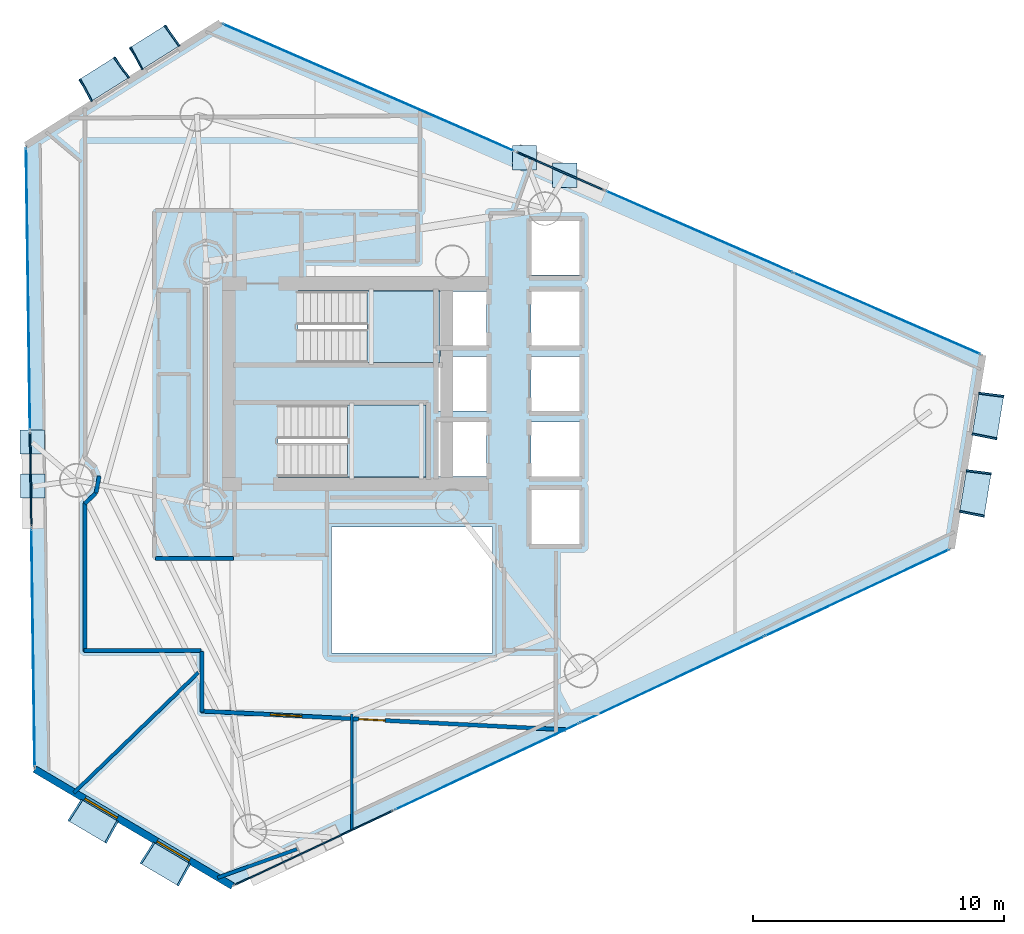
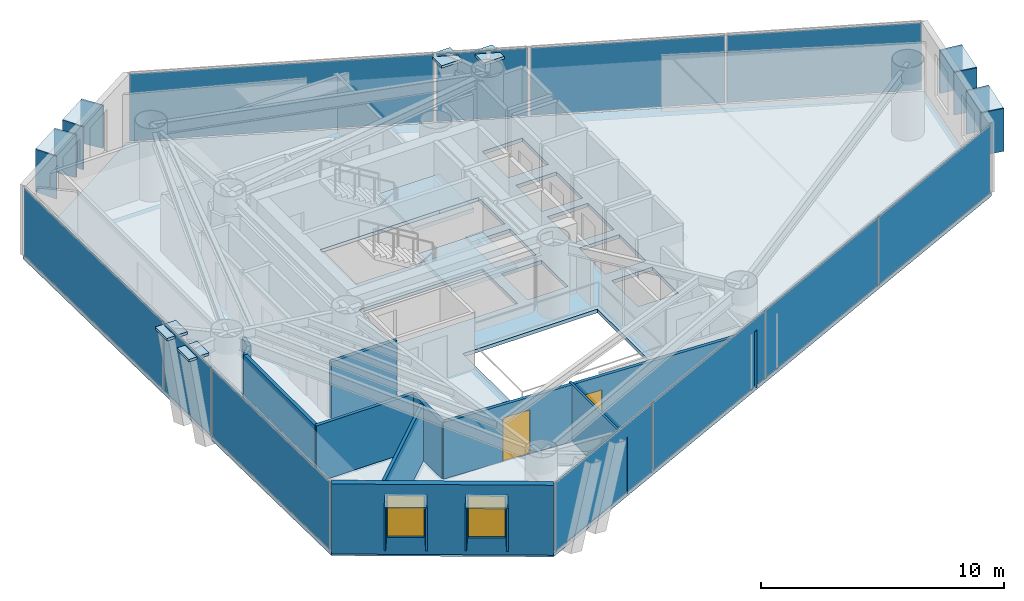
# One storey, part 15 of 20: 33 plates, 11 walls, 3 slabs, 2 doors, 2 windows, 4 openings, 10 elements without a shape of their own.
"""IFC4 building model written with IfcOpenShell, lengths in metres."""

import ifcopenshell
import ifcopenshell.guid

model = None  # the IFC model being written
_history = None  # IfcOwnerHistory: only IFC2X3 demands one
_inside = {}  # id of a spatial element -> (the spatial element, [elements in it])
_under = {}  # id of a project, library or spatial element -> (it, [spatial elements below it])
_declared = {}  # id of a project -> (the project, [libraries it declares])
_typed = {}  # id of a type object -> (the type object, [elements of that type])
_made_of = {}  # id of a material, layer set ... -> (it, [elements and type objects made of it])


def new_model(schema):
    """Start an empty IFC model of exactly this schema.

    Asked for "IFC4X3", IfcOpenShell would pick the latest addendum, in which some entities
    have other attributes; the version numbers below select the first issue.
    IFC2X3 requires an IfcOwnerHistory on every rooted entity: one is made here for all.
    """
    global model, _history
    if schema == "IFC4X3":
        model = ifcopenshell.file(schema_version=(4, 3, 0, 0))
    else:
        model = ifcopenshell.file(schema=schema)
    _inside.clear()
    _under.clear()
    _declared.clear()
    _typed.clear()
    _made_of.clear()
    _history = None
    if model.schema == "IFC2X3":
        org = make("IfcOrganization", Name="unknown")
        user = make(
            "IfcPersonAndOrganization",
            ThePerson=make("IfcPerson", FamilyName="unknown"),
            TheOrganization=org,
        )
        app = make(
            "IfcApplication",
            ApplicationDeveloper=org,
            Version="unknown",
            ApplicationFullName="unknown",
            ApplicationIdentifier="unknown",
        )
        _history = make(
            "IfcOwnerHistory",
            OwningUser=user,
            OwningApplication=app,
            ChangeAction="ADDED",
            CreationDate=0,
        )
    return model


def make(cls, **values):
    """One entity of the class cls with the attributes given. An attribute that is None is left unset."""
    return model.create_entity(
        cls, **{name: value for name, value in values.items() if value is not None}
    )


def rooted(cls, **values):
    """An entity with a GlobalId (a new one), such as an element, a storey or a relation."""
    return make(cls, GlobalId=ifcopenshell.guid.new(), OwnerHistory=_history, **values)


def si_unit(unit_type, name, prefix=None):
    """IfcSIUnit, for example si_unit("LENGTHUNIT", "METRE", prefix="MILLI")."""
    return make("IfcSIUnit", UnitType=unit_type, Prefix=prefix, Name=name)


def assignment(units):
    """IfcUnitAssignment: the units of a project."""
    return None if units is None else make("IfcUnitAssignment", Units=units)


def point(xyz):
    """IfcCartesianPoint."""
    return None if xyz is None else make("IfcCartesianPoint", Coordinates=xyz)


def direction(xyz):
    """IfcDirection."""
    return None if xyz is None else make("IfcDirection", DirectionRatios=xyz)


def frame(location, z_axis=None, x_axis=None):
    """IfcAxis2Placement3D, a coordinate frame: its origin and axes. An axis left out is left unset."""
    return make(
        "IfcAxis2Placement3D",
        Location=point(location),
        Axis=direction(z_axis),
        RefDirection=direction(x_axis),
    )


def frame_2d(location, x_axis=None):
    """IfcAxis2Placement2D, a coordinate frame in the plane: its origin and x axis."""
    return make(
        "IfcAxis2Placement2D", Location=point(location), RefDirection=direction(x_axis)
    )


def origin():
    """The frame at (0, 0, 0) with its axes left unset."""
    return frame((0.0, 0.0, 0.0))


def origin_2d():
    """The frame at (0, 0) in the plane with its x axis left unset."""
    return frame_2d((0.0, 0.0))


def place(relative_to, where):
    """IfcLocalPlacement: puts the frame where relative to a parent placement (None: the world)."""
    return make(
        "IfcLocalPlacement", PlacementRelTo=relative_to, RelativePlacement=where
    )


def context(
    kind, dimensions, precision=None, world=None, true_north=None, identifier=None
):
    """IfcGeometricRepresentationContext, for example the 3D "Model" context."""
    return make(
        "IfcGeometricRepresentationContext",
        ContextIdentifier=identifier,
        ContextType=kind,
        CoordinateSpaceDimension=dimensions,
        Precision=precision,
        WorldCoordinateSystem=world,
        TrueNorth=true_north,
    )


def subcontext(parent, identifier, kind, view, scale=None):
    """IfcGeometricRepresentationSubContext, for example "Body" below "Model"."""
    return make(
        "IfcGeometricRepresentationSubContext",
        ContextIdentifier=identifier,
        ContextType=kind,
        ParentContext=parent,
        TargetScale=scale,
        TargetView=view,
    )


def project(units=None, contexts=None):
    """IfcProject with its units and contexts."""
    return rooted(
        "IfcProject",
        Name="project",
        RepresentationContexts=contexts,
        UnitsInContext=assignment(units),
    )


def spatial(cls, under=None, at=None, **own):
    """A site, building, storey or space (cls), placed at a placement, below another one or the project."""
    s = rooted(cls, ObjectPlacement=at, **own)
    if under is not None:
        _under.setdefault(under.id(), (under, []))[1].append(s)
    return s


def polyline(points):
    """IfcPolyline through the points."""
    return make("IfcPolyline", Points=[point(p) for p in points])


def profile(cls, at=None, kind="AREA", **sizes):
    """A parametric profile (cls). Its sizes go by their IFC names, for example OverallWidth=200.0."""
    return make(cls, ProfileType=kind, Position=at, **sizes)


def rectangle(**sizes):
    """IfcRectangleProfileDef."""
    return profile("IfcRectangleProfileDef", **sizes)


def outline(outer, holes=None, kind="AREA"):
    """IfcArbitraryClosedProfileDef: a profile drawn as a closed curve; with holes, ...WithVoids."""
    if holes is None:
        return make("IfcArbitraryClosedProfileDef", ProfileType=kind, OuterCurve=outer)
    return make(
        "IfcArbitraryProfileDefWithVoids",
        ProfileType=kind,
        OuterCurve=outer,
        InnerCurves=holes,
    )


def extrude(swept, where, along, depth):
    """IfcExtrudedAreaSolid: the profile swept, set in the frame where, extruded along a direction by depth."""
    return make(
        "IfcExtrudedAreaSolid",
        SweptArea=swept,
        Position=where,
        ExtrudedDirection=direction(along),
        Depth=depth,
    )


def shape(context_of_items, identifier, shape_type, items):
    """IfcShapeRepresentation: the items that make up one representation, for example the "Body"."""
    return make(
        "IfcShapeRepresentation",
        ContextOfItems=context_of_items,
        RepresentationIdentifier=identifier,
        RepresentationType=shape_type,
        Items=items,
    )


def material(Name=None, Category=None):
    """IfcMaterial."""
    return make("IfcMaterial", Name=Name, Category=Category)


def layer(
    of_material, thickness, ventilated=None, Name=None, Category=None, Priority=None
):
    """IfcMaterialLayer: one layer of a wall or slab, of a material (None: an air gap)."""
    return make(
        "IfcMaterialLayer",
        Material=of_material,
        LayerThickness=thickness,
        IsVentilated=ventilated,
        Name=Name,
        Category=Category,
        Priority=Priority,
    )


def layer_set(layers, Name=None):
    """IfcMaterialLayerSet."""
    return make("IfcMaterialLayerSet", MaterialLayers=layers, LayerSetName=Name)


def made_of(thing, what):
    """Note that an element or type object is made of a material, layer set ...; save() writes the relation."""
    if what is not None:
        _made_of.setdefault(what.id(), (what, []))[1].append(thing)
    return thing


def type_object(cls, material=None, **own):
    """A type object (cls), such as IfcWallType, which elements share."""
    return made_of(rooted(cls, **own), material)


def element(
    cls,
    number,
    at=None,
    inside=None,
    cuts=None,
    type_object=None,
    material=None,
    context=None,
    identifier="Body",
    shape_type=None,
    held_by="IfcProductDefinitionShape",
    body=None,
    shapes=None,
    **own,
):
    """One element of the class cls, such as IfcWall. Its Tag is "e" and its number.

    at: its placement. inside: the storey or other place that contains it. cuts: it is an
    opening in that element (IfcRelVoidsElement). A single representation is given by context,
    identifier, shape_type and body (its items); several are given by shapes. held_by: the class
    of the entity that holds the representations. save() writes the other relations.
    """
    e = rooted(cls, Tag="e%d" % number, ObjectPlacement=at, **own)
    if body is not None:
        shapes = [shape(context, identifier, shape_type, body)]
    if shapes is not None:
        e.Representation = make(held_by, Representations=shapes)
    if inside is not None:
        _inside.setdefault(inside.id(), (inside, []))[1].append(e)
    if cuts is not None:
        rooted(
            "IfcRelVoidsElement", RelatingBuildingElement=cuts, RelatedOpeningElement=e
        )
    if type_object is not None:
        _typed.setdefault(type_object.id(), (type_object, []))[1].append(e)
    return made_of(e, material)


def fill(opening, filler):
    """IfcRelFillsElement: the door or window that sits in an opening."""
    return rooted(
        "IfcRelFillsElement",
        RelatingOpeningElement=opening,
        RelatedBuildingElement=filler,
    )


def aggregate(whole, parts):
    """IfcRelAggregates: a whole, such as a stair, and the parts it consists of."""
    return rooted("IfcRelAggregates", RelatingObject=whole, RelatedObjects=parts)


def save(model, path):
    """Write the relations noted so far, then the file.

    IfcRelAggregates (storeys below a building ...), IfcRelContainedInSpatialStructure (elements
    in a storey), IfcRelDefinesByType, IfcRelAssociatesMaterial and IfcRelDeclares: one each for
    every whole, place, type object, material and project.
    """
    for whole, parts in _under.values():
        aggregate(whole, parts)
    for where, things in _inside.values():
        rooted(
            "IfcRelContainedInSpatialStructure",
            RelatedElements=things,
            RelatingStructure=where,
        )
    for kind, things in _typed.values():
        rooted("IfcRelDefinesByType", RelatedObjects=things, RelatingType=kind)
    for what, things in _made_of.values():
        rooted("IfcRelAssociatesMaterial", RelatedObjects=things, RelatingMaterial=what)
    for by, libraries in _declared.values():
        rooted("IfcRelDeclares", RelatingContext=by, RelatedDefinitions=libraries)
    model.write(path)


model = new_model("IFC4")

# Units and contexts
model_context = context("Model", 3, precision=1e-05, world=origin(), true_north=direction((0.0, 1.0)))
body_context = subcontext(model_context, "Body", "Model", "MODEL_VIEW")
ifc_project = project(units=[si_unit("LENGTHUNIT", "METRE"), si_unit("AREAUNIT", "SQUARE_METRE"), si_unit("VOLUMEUNIT", "CUBIC_METRE"), si_unit("PLANEANGLEUNIT", "RADIAN"), si_unit("MASSUNIT", "GRAM", prefix="KILO")], contexts=[model_context])

# Site, building, storey
site_placement = place(None, origin())
site = spatial("IfcSite", under=ifc_project, at=site_placement, CompositionType="ELEMENT")
building_placement = place(site_placement, origin())
building = spatial("IfcBuilding", under=site, at=building_placement, Name="Qianvela Tower", CompositionType="ELEMENT")
storey_placement = place(building_placement, frame((0.0, 0.0, 151.300048828125)))
storey = spatial("IfcBuildingStorey", under=building, at=storey_placement, Name="L38", CompositionType="ELEMENT", Elevation=151.300048828125)

# Curtain wall, plate
ifc_material_1 = material(Name="Anodised Architectural Aluminium and Insulated Spandrel Panel", Category="aluminium")
ifc_layer_1 = layer(ifc_material_1, 0.179931640625)
ifc_layer_set_1 = layer_set([ifc_layer_1], Name="Anodised Architectural Aluminium and Insulated Spandrel Panel")
curtain_wall_type_1 = type_object("IfcCurtainWallType", Name="CW-BRACEBAY", PredefinedType="USERDEFINED", material=ifc_layer_set_1)
curtain_wall_1_placement = place(storey_placement, origin())
curtain_wall_1 = element("IfcCurtainWall", 1, at=curtain_wall_1_placement, inside=storey, type_object=curtain_wall_type_1, Name="L38 CW-BRACEBAY Curtain Wall 02B", ObjectType="CURTAIN_WALL_SYSTEM", PredefinedType="USERDEFINED")
ifc_material_2 = material(Name="Insulated Aluminium Spandrel Panel with Mineral-Wool Backpan", Category="aluminium")
ifc_layer_2 = layer(ifc_material_2, 0.06005859375)
ifc_layer_set_2 = layer_set([ifc_layer_2], Name="Insulated Aluminium Spandrel Panel with Mineral-Wool Backpan")
plate_type_1 = type_object("IfcPlateType", Name="CW-BRACEBAY-PNL", PredefinedType="CURTAIN_PANEL", material=ifc_layer_set_2)
plate_1_placement = place(storey_placement, frame((42.68505859375, 37.16845703125, 0.06494140625), z_axis=(0.0, 0.0, 1.0), x_axis=(-0.916686523924, 0.399607078086, 0.0)))
plate_1 = element("IfcPlate", 2, at=plate_1_placement, type_object=plate_type_1, Name="CW-9 panel 1.1", PredefinedType="CURTAIN_PANEL", context=body_context, shape_type="SweptSolid", body=[
    extrude(rectangle(XDim=3.75, YDim=0.06005859375, at=origin_2d()), origin(), (0.0, 0.0, 1.0), 3.389892578125),
])
aggregate(curtain_wall_1, [plate_1])

curtain_wall_2_placement = place(storey_placement, origin())
curtain_wall_2 = element("IfcCurtainWall", 3, at=curtain_wall_2_placement, inside=storey, type_object=curtain_wall_type_1, Name="L38 CW-BRACEBAY Curtain Wall 04B", ObjectType="CURTAIN_WALL_SYSTEM", PredefinedType="USERDEFINED")
plate_2_placement = place(storey_placement, frame((21.62451171875, 24.904296875, 0.06494140625), z_axis=(0.0, 0.0, 1.0), x_axis=(0.013968764388, -0.999902432051, 0.0)))
plate_2 = element("IfcPlate", 4, at=plate_2_placement, type_object=plate_type_1, Name="CW-9 panel 1.1", PredefinedType="CURTAIN_PANEL", context=body_context, shape_type="SweptSolid", body=[
    extrude(rectangle(XDim=3.699951171875, YDim=0.06005859375, at=origin_2d()), origin(), (0.0, 0.0, 1.0), 3.389892578125),
])
aggregate(curtain_wall_2, [plate_2])

curtain_wall_3_placement = place(storey_placement, origin())
curtain_wall_3 = element("IfcCurtainWall", 5, at=curtain_wall_3_placement, inside=storey, type_object=curtain_wall_type_1, Name="L38 CW-BRACEBAY Curtain Wall 06A", ObjectType="CURTAIN_WALL_SYSTEM", PredefinedType="USERDEFINED")
plate_3_placement = place(storey_placement, frame((32.895751953125, 10.238525390625, 0.06494140625), z_axis=(0.0, 0.0, 1.0), x_axis=(0.905178227961, 0.425032205398, 0.0)))
plate_3 = element("IfcPlate", 6, at=plate_3_placement, type_object=plate_type_1, Name="CW-9 panel 1.1", PredefinedType="CURTAIN_PANEL", context=body_context, shape_type="SweptSolid", body=[
    extrude(rectangle(XDim=6.929931640625, YDim=0.06005859375, at=origin_2d()), origin(), (0.0, 0.0, 1.0), 3.389892578125),
])
aggregate(curtain_wall_3, [plate_3])

# Curtain wall, plates
ifc_material_3 = material(Name="Anodised Architectural Aluminium and Low-E Glass", Category="aluminium")
ifc_layer_3 = layer(ifc_material_3, 0.169921875)
ifc_layer_set_3 = layer_set([ifc_layer_3], Name="Anodised Architectural Aluminium and Low-E Glass")
curtain_wall_type_2 = type_object("IfcCurtainWallType", Name="CW-COLIV-Z34", PredefinedType="USERDEFINED", material=ifc_layer_set_3)
curtain_wall_4_placement = place(storey_placement, origin())
curtain_wall_4 = element("IfcCurtainWall", 7, at=curtain_wall_4_placement, inside=storey, type_object=curtain_wall_type_2, Name="L38 CW-COLIV-Z34 Curtain Wall 02A", ObjectType="CURTAIN_WALL_SYSTEM", PredefinedType="USERDEFINED")
ifc_material_4 = material(Name="Double-Silver Low-E Insulated Glass", Category="glass")
ifc_layer_4 = layer(ifc_material_4, 0.028076171875)
ifc_layer_set_4 = layer_set([ifc_layer_4], Name="Double-Silver Low-E Insulated Glass")
plate_type_2 = type_object("IfcPlateType", Name="CW-COLIV-Z34-PNL", PredefinedType="CURTAIN_PANEL", material=ifc_layer_set_4)
plate_4_placement = place(storey_placement, frame((55.689453125, 31.499755859375, 0.06494140625), z_axis=(0.0, 0.0, 1.0), x_axis=(-0.916691196707, 0.399596358692, 0.0)))
plate_4 = element("IfcPlate", 8, at=plate_4_placement, type_object=plate_type_2, Name="CW-4 panel 1.1", PredefinedType="CURTAIN_PANEL", context=body_context, shape_type="SweptSolid", body=[
    extrude(rectangle(XDim=8.077392578125, YDim=0.028076171875, at=origin_2d()), origin(), (0.0, 0.0, 1.0), 3.389892578125),
])
plate_5_placement = place(storey_placement, frame((48.225341796875, 34.75341796875, 0.06494140625), z_axis=(0.0, 0.0, 1.0), x_axis=(-0.916691196707, 0.399596358692, 0.0)))
plate_5 = element("IfcPlate", 9, at=plate_5_placement, type_object=plate_type_2, Name="CW-4 panel 2.1", PredefinedType="CURTAIN_PANEL", context=body_context, shape_type="SweptSolid", body=[
    extrude(rectangle(XDim=8.077392578125, YDim=0.028076171875, at=origin_2d()), origin(), (0.0, 0.0, 1.0), 3.389892578125),
])
aggregate(curtain_wall_4, [plate_4, plate_5])

# Curtain wall, plate
curtain_wall_5_placement = place(storey_placement, origin())
curtain_wall_5 = element("IfcCurtainWall", 10, at=curtain_wall_5_placement, inside=storey, type_object=curtain_wall_type_2, Name="L38 CW-COLIV-Z34 Curtain Wall 02C", ObjectType="CURTAIN_WALL_SYSTEM", PredefinedType="USERDEFINED")
plate_6_placement = place(storey_placement, frame((35.064208984375, 40.490478515625, 0.06494140625), z_axis=(0.0, 0.0, 1.0), x_axis=(-0.916691617458, 0.399595393471, 0.0)))
plate_6 = element("IfcPlate", 11, at=plate_6_placement, type_object=plate_type_2, Name="CW-4 panel 1.1", PredefinedType="CURTAIN_PANEL", context=body_context, shape_type="SweptSolid", body=[
    extrude(rectangle(XDim=12.6171875, YDim=0.028076171875, at=origin_2d()), origin(), (0.0, 0.0, 1.0), 3.389892578125),
])
aggregate(curtain_wall_5, [plate_6])

curtain_wall_6_placement = place(storey_placement, origin())
curtain_wall_6 = element("IfcCurtainWall", 12, at=curtain_wall_6_placement, inside=storey, type_object=curtain_wall_type_2, Name="L38 CW-COLIV-Z34 Curtain Wall 04A", ObjectType="CURTAIN_WALL_SYSTEM", PredefinedType="USERDEFINED")
plate_7_placement = place(storey_placement, frame((21.518798828125, 32.478515625, 0.06494140625), z_axis=(0.0, 0.0, 1.0), x_axis=(0.013957593834, -0.999902588043, 0.0)))
plate_7 = element("IfcPlate", 13, at=plate_7_placement, type_object=plate_type_2, Name="CW-4 panel 1.1", PredefinedType="CURTAIN_PANEL", context=body_context, shape_type="SweptSolid", body=[
    extrude(rectangle(XDim=11.18994140625, YDim=0.028076171875, at=origin_2d()), origin(), (0.0, 0.0, 1.0), 3.389892578125),
])
aggregate(curtain_wall_6, [plate_7])

curtain_wall_7_placement = place(storey_placement, origin())
curtain_wall_7 = element("IfcCurtainWall", 14, at=curtain_wall_7_placement, inside=storey, type_object=curtain_wall_type_2, Name="L38 CW-COLIV-Z34 Curtain Wall 04C", ObjectType="CURTAIN_WALL_SYSTEM", PredefinedType="USERDEFINED")
plate_8_placement = place(storey_placement, frame((21.718017578125, 18.203857421875, 0.06494140625), z_axis=(0.0, 0.0, 1.0), x_axis=(0.013957474238, -0.999902589712, 0.0)))
plate_8 = element("IfcPlate", 15, at=plate_8_placement, type_object=plate_type_2, Name="CW-4 panel 1.1", PredefinedType="CURTAIN_PANEL", context=body_context, shape_type="SweptSolid", body=[
    extrude(rectangle(XDim=9.44189453125, YDim=0.028076171875, at=origin_2d()), origin(), (0.0, 0.0, 1.0), 3.389892578125),
])
aggregate(curtain_wall_7, [plate_8])

# Curtain wall, plates
curtain_wall_8_placement = place(storey_placement, origin())
curtain_wall_8 = element("IfcCurtainWall", 16, at=curtain_wall_8_placement, inside=storey, type_object=curtain_wall_type_2, Name="L38 CW-COLIV-Z34 Curtain Wall 06B", ObjectType="CURTAIN_WALL_SYSTEM", PredefinedType="USERDEFINED")
plate_9_placement = place(storey_placement, frame((39.790771484375, 13.476318359375, 0.06494140625), z_axis=(0.0, 0.0, 1.0), x_axis=(0.905176777591, 0.425035294193, 0.0)))
plate_9 = element("IfcPlate", 17, at=plate_9_placement, type_object=plate_type_2, Name="CW-4 panel 1.1", PredefinedType="CURTAIN_PANEL", context=body_context, shape_type="SweptSolid", body=[
    extrude(rectangle(XDim=8.044921875, YDim=0.028076171875, at=origin_2d()), origin(), (0.0, 0.0, 1.0), 3.389892578125),
])
plate_10_placement = place(storey_placement, frame((47.146484375, 16.93017578125, 0.06494140625), z_axis=(0.0, 0.0, 1.0), x_axis=(0.905176777591, 0.425035294193, 0.0)))
plate_10 = element("IfcPlate", 18, at=plate_10_placement, type_object=plate_type_2, Name="CW-4 panel 2.1", PredefinedType="CURTAIN_PANEL", context=body_context, shape_type="SweptSolid", body=[
    extrude(rectangle(XDim=8.077392578125, YDim=0.028076171875, at=origin_2d()), origin(), (0.0, 0.0, 1.0), 3.389892578125),
])
plate_11_placement = place(storey_placement, frame((54.502197265625, 20.384033203125, 0.06494140625), z_axis=(0.0, 0.0, 1.0), x_axis=(0.905176777591, 0.425035294193, 0.0)))
plate_11 = element("IfcPlate", 19, at=plate_11_placement, type_object=plate_type_2, Name="CW-4 panel 3.1", PredefinedType="CURTAIN_PANEL", context=body_context, shape_type="SweptSolid", body=[
    extrude(rectangle(XDim=8.044921875, YDim=0.028076171875, at=origin_2d()), origin(), (0.0, 0.0, 1.0), 3.389892578125),
])
aggregate(curtain_wall_8, [plate_9, plate_10, plate_11])

# Plates
ifc_material_5 = material(Name="Steel Q420GJC", Category="steel")
ifc_layer_5 = layer(ifc_material_5, 0.1298828125)
ifc_layer_set_5 = layer_set([ifc_layer_5], Name="Steel Q420GJC")
plate_type_3 = type_object("IfcPlateType", Name="PT-ENDCAP-130", PredefinedType="USERDEFINED", material=ifc_layer_set_5)
for number, where, z_axis, x_axis, name in (
    (20, (42.87939453125, 36.99658203125, 3.20947265625), (0.0, 0.0, 1.0), (1.0, 0.0, 0.0), "L38 Hollow Section End Cap Plate B"),
    (21, (41.272705078125, 37.697021484375, 3.20947265625), (0.0, 0.0, 1.0), (1.0, 0.0, 0.0), "L38 Hollow Section End Cap Plate B"),
    (22, (21.68359375, 26.38671875, 3.209716796875), (0.0, 0.0, 1.0), (1.0, 0.0, 0.0), "L38 Hollow Section End Cap Plate B"),
    (23, (21.708251953125, 24.63427734375, 3.209716796875), (0.0, 0.0, 1.0), (1.0, 0.0, 0.0), "L38 Hollow Section End Cap Plate B"),
):
    element("IfcPlate", number, at=place(storey_placement, frame(where, z_axis=z_axis, x_axis=x_axis)), inside=storey, type_object=plate_type_3, Name=name, ObjectType="END_CAP", PredefinedType="USERDEFINED", context=body_context, shape_type="SweptSolid", body=[
        extrude(rectangle(XDim=0.969970703125, YDim=0.969970703125, at=origin_2d()), origin(), (0.0, 0.0, 1.0), 0.1298828125),
    ])

# Slab
ifc_material_6 = material(Name="Concrete C40", Category="concrete")
ifc_layer_6 = layer(ifc_material_6, 0.179931640625)
ifc_layer_set_6 = layer_set([ifc_layer_6], Name="Concrete C40")
slab_type_1 = type_object("IfcSlabType", Name="SL-FLOOR-180", PredefinedType="FLOOR", material=ifc_layer_set_6)
slab_1_placement = place(storey_placement, frame((0.0, 0.0, -0.179931640625)))
element("IfcSlab", 24, at=slab_1_placement, inside=storey, type_object=slab_type_1, Name="L38 Composite Structural Floor Slab", PredefinedType="FLOOR", context=body_context, shape_type="SweptSolid", body=[
    extrude(outline(polyline([(58.247314453125, 22.142578125), (59.497314453125, 29.83984375), (29.17578125, 43.057373046875), (21.43896484375, 38.18798828125), (21.785400390625, 13.368408203125), (29.6552734375, 8.716796875), (58.247314453125, 22.142578125)]), holes=[polyline([(40.0, 23.0), (33.60009765625, 23.0), (33.60009765625, 18.0), (40.0, 18.0), (40.0, 23.0)]), polyline([(39.760009765625, 27.179931640625), (37.840087890625, 27.179931640625), (37.840087890625, 25.02001953125), (39.760009765625, 25.02001953125), (39.760009765625, 27.179931640625)]), polyline([(37.35009765625, 27.860107421875), (31.469970703125, 27.860107421875), (31.469970703125, 25.0), (37.35009765625, 25.0), (37.35009765625, 27.860107421875)]), polyline([(37.840087890625, 27.6201171875), (39.760009765625, 27.6201171875), (39.760009765625, 29.780029296875), (37.89990234375, 29.780029296875), (37.89990234375, 30.219970703125), (39.760009765625, 30.219970703125), (39.760009765625, 32.3798828125), (37.89990234375, 32.3798828125), (37.89990234375, 32.39990234375), (32.25, 32.39990234375), (32.25, 29.5400390625), (37.840087890625, 29.5400390625), (37.840087890625, 27.6201171875)]), polyline([(43.4599609375, 22.320068359375), (43.4599609375, 24.47998046875), (41.5400390625, 24.47998046875), (41.5400390625, 22.320068359375), (43.4599609375, 22.320068359375)]), polyline([(43.4599609375, 25.02001953125), (43.4599609375, 27.179931640625), (41.5400390625, 27.179931640625), (41.5400390625, 25.02001953125), (43.4599609375, 25.02001953125)]), polyline([(43.4599609375, 29.780029296875), (41.5400390625, 29.780029296875), (41.5400390625, 27.6201171875), (43.4599609375, 27.6201171875), (43.4599609375, 29.780029296875)]), polyline([(43.4599609375, 30.219970703125), (43.4599609375, 32.3798828125), (41.5400390625, 32.3798828125), (41.5400390625, 30.219970703125), (43.4599609375, 30.219970703125)]), polyline([(43.4599609375, 33.02001953125), (43.4599609375, 35.179931640625), (41.5400390625, 35.179931640625), (41.5400390625, 33.02001953125), (43.4599609375, 33.02001953125)])]), origin(), (0.0, 0.0, 1.0), 0.179931640625),
])

# Stair, slab
ifc_material_7 = material(Name="Concrete C40", Category="concrete")
stair_type = type_object("IfcStairType", Name="ST-DOGLEG-1350-R168-N22", PredefinedType="HALF_TURN_STAIR", material=ifc_material_7)
stair_1_placement = place(storey_placement, origin())
stair_1 = element("IfcStair", 25, at=stair_1_placement, inside=storey, type_object=stair_type, Name="L38 Smoke-Proof Core Stair ST-1", PredefinedType="HALF_TURN_STAIR")
ifc_material_8 = material(Name="Concrete C40", Category="concrete")
ifc_layer_7 = layer(ifc_material_8, 0.199951171875)
ifc_layer_set_7 = layer_set([ifc_layer_7], Name="Concrete C40")
slab_type_2 = type_object("IfcSlabType", Name="SL-STAIR-LANDING-200", PredefinedType="LANDING", material=ifc_layer_set_7)
slab_2_placement = place(storey_placement, frame((0.0, 0.0, 1.64990234375)))
slab_2 = element("IfcSlab", 26, at=slab_2_placement, type_object=slab_type_2, Name="ST-1 landing 1", PredefinedType="LANDING", context=body_context, shape_type="SweptSolid", body=[
    extrude(outline(polyline([(35.0, 29.5400390625), (37.89990234375, 29.5400390625), (37.89990234375, 32.39990234375), (35.0, 32.39990234375), (35.0, 29.5400390625)])), origin(), (0.0, 0.0, 1.0), 0.199951171875),
])
aggregate(stair_1, [slab_2])

stair_2_placement = place(storey_placement, origin())
stair_2 = element("IfcStair", 27, at=stair_2_placement, inside=storey, type_object=stair_type, Name="L38 Smoke-Proof Core Stair ST-2", PredefinedType="HALF_TURN_STAIR")
slab_3_placement = place(storey_placement, frame((0.0, 0.0, 1.64990234375)))
slab_3 = element("IfcSlab", 28, at=slab_3_placement, type_object=slab_type_2, Name="ST-2 landing 1", PredefinedType="LANDING", context=body_context, shape_type="SweptSolid", body=[
    extrude(outline(polyline([(34.219970703125, 25.0), (37.35009765625, 25.0), (37.35009765625, 27.860107421875), (34.219970703125, 27.860107421875), (34.219970703125, 25.0)])), origin(), (0.0, 0.0, 1.0), 0.199951171875),
])
aggregate(stair_2, [slab_3])

# Plates
ifc_material_9 = material(Name="Vitrified Architectural Terracotta Panel", Category="masonry")
ifc_layer_8 = layer(ifc_material_9, 0.06005859375)
ifc_layer_set_8 = layer_set([ifc_layer_8], Name="Vitrified Architectural Terracotta Panel")
plate_type_4 = type_object("IfcPlateType", Name="TERRACOTTA-SUNSHADE-HOOD-FOLD-A", PredefinedType="USERDEFINED", material=ifc_layer_set_8)
for number, where, z_axis, x_axis, name in (
    (29, (26.53759765625, 42.10009765625, 2.9599609375), (0.0, 0.0, 1.0), (-0.846319628347, -0.532675404608, 0.0), "L38 Terracotta Sunshade Hood FOLD-A"),
    (30, (24.5263671875, 40.833984375, 2.9599609375), (0.0, 0.0, 1.0), (-0.846319628347, -0.532675404608, 0.0), "L38 Terracotta Sunshade Hood FOLD-A"),
):
    element("IfcPlate", number, at=place(storey_placement, frame(where, z_axis=z_axis, x_axis=x_axis)), inside=storey, type_object=plate_type_4, Name=name, ObjectType="SUNSHADE", PredefinedType="USERDEFINED", context=body_context, shape_type="SweptSolid", body=[
        extrude(rectangle(XDim=1.739990234375, YDim=0.989990234375, at=origin_2d()), origin(), (0.0, 0.0, 1.0), 0.06005859375),
    ])
ifc_material_10 = material(Name="Vitrified Architectural Terracotta Panel", Category="masonry")
ifc_layer_9 = layer(ifc_material_10, 0.070068359375)
ifc_layer_set_9 = layer_set([ifc_layer_9], Name="Vitrified Architectural Terracotta Panel")
plate_type_5 = type_object("IfcPlateType", Name="TERRACOTTA-SUNSHADE-HOOD-FOLD-C", PredefinedType="USERDEFINED", material=ifc_layer_set_9)
for number, where, z_axis, x_axis, name in (
    (31, (59.209716796875, 24.3564453125, 2.9599609375), (0.0, 0.0, 1.0), (0.160273991161, 0.987072564585, 0.0), "L38 Terracotta Sunshade Hood FOLD-C"),
    (32, (59.709716796875, 27.435302734375, 2.9599609375), (0.0, 0.0, 1.0), (0.160273991161, 0.987072564585, 0.0), "L38 Terracotta Sunshade Hood FOLD-C"),
    (33, (24.119140625, 11.2978515625, 2.9599609375), (0.0, 0.0, 1.0), (0.86086815974, -0.508828076609, 0.0), "L38 Terracotta Sunshade Hood FOLD-C"),
    (34, (26.991455078125, 9.60009765625, 2.9599609375), (0.0, 0.0, 1.0), (0.86086815974, -0.508828076609, 0.0), "L38 Terracotta Sunshade Hood FOLD-C"),
):
    element("IfcPlate", number, at=place(storey_placement, frame(where, z_axis=z_axis, x_axis=x_axis)), inside=storey, type_object=plate_type_5, Name=name, ObjectType="SUNSHADE", PredefinedType="USERDEFINED", context=body_context, shape_type="SweptSolid", body=[
        extrude(rectangle(XDim=1.739990234375, YDim=0.989990234375, at=origin_2d()), origin(), (0.0, 0.0, 1.0), 0.06005859375),
    ])
ifc_material_11 = material(Name="Vitrified Architectural Terracotta Side Fin Panel", Category="masonry")
ifc_layer_10 = layer(ifc_material_11, 0.06494140625)
ifc_layer_set_10 = layer_set([ifc_layer_10], Name="Vitrified Architectural Terracotta Side Fin Panel")
plate_type_6 = type_object("IfcPlateType", Name="TERRACOTTA-SUNSHADE-STRUT-FOLD-A", PredefinedType="USERDEFINED", material=ifc_layer_set_10)
for number, where, z_axis, x_axis, name in (
    (35, (27.248779296875, 42.547607421875, 0.85009765625), (0.0, 0.0, 1.0), (-0.807100478393, -0.590414107028, 0.0), "L38 Terracotta Sunshade Side Fin HL FOLD-A"),
    (36, (25.826904296875, 41.652587890625, 0.85009765625), (0.0, 0.0, 1.0), (-0.881415594144, -0.47234156116, 0.0), "L38 Terracotta Sunshade Side Fin HR FOLD-A"),
    (37, (25.2373046875, 41.281494140625, 0.85009765625), (0.0, 0.0, 1.0), (-0.807100478393, -0.590414107028, 0.0), "L38 Terracotta Sunshade Side Fin HL FOLD-A"),
    (38, (23.8154296875, 40.38671875, 0.85009765625), (0.0, 0.0, 1.0), (-0.881415594144, -0.47234156116, 0.0), "L38 Terracotta Sunshade Side Fin HR FOLD-A"),
):
    element("IfcPlate", number, at=place(storey_placement, frame(where, z_axis=z_axis, x_axis=x_axis)), inside=storey, type_object=plate_type_6, Name=name, ObjectType="SUNSHADE", PredefinedType="USERDEFINED", context=body_context, shape_type="SweptSolid", body=[
        extrude(rectangle(XDim=0.06494140625, YDim=1.010009765625, at=origin_2d()), origin(), (0.0, 0.0, 1.0), 2.159912109375),
    ])
ifc_material_12 = material(Name="Vitrified Architectural Terracotta Side Fin Panel", Category="masonry")
ifc_layer_11 = layer(ifc_material_12, 0.074951171875)
ifc_layer_set_11 = layer_set([ifc_layer_11], Name="Vitrified Architectural Terracotta Side Fin Panel")
plate_type_7 = type_object("IfcPlateType", Name="TERRACOTTA-SUNSHADE-STRUT-FOLD-C", PredefinedType="USERDEFINED", material=ifc_layer_set_11)
for number, where, z_axis, x_axis, name in (
    (39, (59.074951171875, 23.52734375, 0.85009765625), (0.0, 0.0, 1.0), (0.194624692289, 0.980877785023, 0.0), "L38 Terracotta Sunshade Side Fin HL FOLD-C"),
    (40, (59.34423828125, 25.185546875, 0.85009765625), (0.0, 0.0, 1.0), (0.125728020863, 0.992064748275, 0.0), "L38 Terracotta Sunshade Side Fin HR FOLD-C"),
    (41, (59.574951171875, 26.606201171875, 0.85009765625), (0.0, 0.0, 1.0), (0.194624692289, 0.980877785023, 0.0), "L38 Terracotta Sunshade Side Fin HL FOLD-C"),
    (42, (59.84423828125, 28.264404296875, 0.85009765625), (0.0, 0.0, 1.0), (0.125728020863, 0.992064748275, 0.0), "L38 Terracotta Sunshade Side Fin HR FOLD-C"),
    (43, (23.39599609375, 11.725341796875, 0.85009765625), (0.0, 0.0, 1.0), (0.842585898335, -0.538561977795, 0.0), "L38 Terracotta Sunshade Side Fin HL FOLD-C"),
    (44, (24.84228515625, 10.87060546875, 0.85009765625), (0.0, 0.0, 1.0), (0.878101585899, -0.478474246791, 0.0), "L38 Terracotta Sunshade Side Fin HR FOLD-C"),
    (45, (26.268310546875, 10.027587890625, 0.85009765625), (0.0, 0.0, 1.0), (0.842585898335, -0.538561977795, 0.0), "L38 Terracotta Sunshade Side Fin HL FOLD-C"),
    (46, (27.714599609375, 9.172607421875, 0.85009765625), (0.0, 0.0, 1.0), (0.878101585899, -0.478474246791, 0.0), "L38 Terracotta Sunshade Side Fin HR FOLD-C"),
):
    element("IfcPlate", number, at=place(storey_placement, frame(where, z_axis=z_axis, x_axis=x_axis)), inside=storey, type_object=plate_type_7, Name=name, ObjectType="SUNSHADE", PredefinedType="USERDEFINED", context=body_context, shape_type="SweptSolid", body=[
        extrude(rectangle(XDim=0.074951171875, YDim=1.010009765625, at=origin_2d()), origin(), (0.0, 0.0, 1.0), 2.159912109375),
    ])

# Wall, openings, windows
ifc_material_13 = material(Name="Terracotta Cladding on Concrete C40", Category="masonry")
ifc_layer_12 = layer(ifc_material_13, 0.280029296875)
ifc_layer_set_12 = layer_set([ifc_layer_12], Name="Terracotta Cladding on Concrete C40")
wall_type_1 = type_object("IfcWallType", Name="TERRACOTTA-WALL-280", PredefinedType="SOLIDWALL", material=ifc_layer_set_12)
wall_1_placement = place(storey_placement, frame((21.785400390625, 13.368408203125, 0.0), z_axis=(0.0, 0.0, 1.0), x_axis=(0.860867507506, -0.5088291801, 0.0)))
wall_1 = element("IfcWall", 47, at=wall_1_placement, inside=storey, type_object=wall_type_1, Name="L38 Terracotta Chamfer Facet Wall 5", PredefinedType="SOLIDWALL", context=body_context, shape_type="SweptSolid", body=[
    extrude(rectangle(XDim=9.141845703125, YDim=0.280029296875, at=frame_2d((4.57080078125, 0.0))), origin(), (0.0, 0.0, 1.0), 3.52001953125),
])
opening_1_placement = place(wall_1_placement, frame((2.3125, 0.0, 0.85009765625)))
opening_1 = element("IfcOpeningElement", 48, at=opening_1_placement, cuts=wall_1, Name="Opening W-02", PredefinedType="OPENING", context=body_context, shape_type="SweptSolid", body=[
    extrude(rectangle(XDim=1.5, YDim=2.10009765625, at=frame_2d((0.75, 1.050048828125))), frame((0.0, 0.14990234375, 0.0), z_axis=(0.0, -1.0, 0.0), x_axis=(1.0, 0.0, 0.0)), (0.0, 0.0, 1.0), 0.300048828125),
])
opening_2_placement = place(wall_1_placement, frame((5.649169921875, 0.0, 0.85009765625)))
opening_2 = element("IfcOpeningElement", 49, at=opening_2_placement, cuts=wall_1, Name="Opening W-02", PredefinedType="OPENING", context=body_context, shape_type="SweptSolid", body=[
    extrude(rectangle(XDim=1.5, YDim=2.10009765625, at=frame_2d((0.75, 1.050048828125))), frame((0.0, 0.14990234375, 0.0), z_axis=(0.0, -1.0, 0.0), x_axis=(1.0, 0.0, 0.0)), (0.0, 0.0, 1.0), 0.300048828125),
])
ifc_material_14 = material(Name="Thermally Broken Aluminium and Low-E Glass", Category="aluminium")
window_type = type_object("IfcWindowType", Name="WIN-TC-1500x2100", PartitioningType="DOUBLE_PANEL_VERTICAL", PredefinedType="WINDOW", material=ifc_material_14)
window_1_placement = place(opening_1_placement, origin())
window_1 = element("IfcWindow", 50, at=window_1_placement, inside=storey, type_object=window_type, Name="L38 Chamfer Facet Window 5.1", OverallHeight=2.10009765625, OverallWidth=1.5, PartitioningType="SINGLE_PANEL", PredefinedType="WINDOW", context=body_context, shape_type="SweptSolid", body=[
    extrude(rectangle(XDim=1.5, YDim=2.10009765625, at=frame_2d((0.75, 1.050048828125))), frame((0.0, 0.030029296875, 0.0), z_axis=(0.0, -1.0, 0.0), x_axis=(1.0, 0.0, 0.0)), (0.0, 0.0, 1.0), 0.06005859375),
])
fill(opening_1, window_1)
window_2_placement = place(opening_2_placement, origin())
window_2 = element("IfcWindow", 51, at=window_2_placement, inside=storey, type_object=window_type, Name="L38 Chamfer Facet Window 5.2", OverallHeight=2.10009765625, OverallWidth=1.5, PartitioningType="SINGLE_PANEL", PredefinedType="WINDOW", context=body_context, shape_type="SweptSolid", body=[
    extrude(rectangle(XDim=1.5, YDim=2.10009765625, at=frame_2d((0.75, 1.050048828125))), frame((0.0, 0.030029296875, 0.0), z_axis=(0.0, -1.0, 0.0), x_axis=(1.0, 0.0, 0.0)), (0.0, 0.0, 1.0), 0.06005859375),
])
fill(opening_2, window_2)

# Wall
ifc_material_15 = material(Name="Fire-Rated Gypsum and Concrete Block", Category="concrete")
ifc_layer_13 = layer(ifc_material_15, 0.159912109375)
ifc_layer_set_13 = layer_set([ifc_layer_13], Name="Fire-Rated Gypsum and Concrete Block")
wall_type_2 = type_object("IfcWallType", Name="WT-CORR-160", PredefinedType="PARTITIONING", material=ifc_layer_set_13)
wall_2_placement = place(storey_placement, frame((26.580078125, 21.7490234375, 0.0), z_axis=(0.0, 0.0, 1.0), x_axis=(1.0, 0.0, 0.0)))
element("IfcWall", 52, at=wall_2_placement, inside=storey, type_object=wall_type_2, Name="L38 Partition 58 seg 1", PredefinedType="PARTITIONING", context=body_context, shape_type="SweptSolid", body=[
    extrude(rectangle(XDim=3.119873046875, YDim=0.159912109375, at=frame_2d((1.56005859375, 0.0))), origin(), (0.0, 0.0, 1.0), 2.83984375),
])

# Wall, openings, doors
wall_3_placement = place(storey_placement, frame((42.89990234375, 14.93603515625, 0.0), z_axis=(0.0, 0.0, 1.0), x_axis=(-0.998683138802, 0.051302907066, 0.0)))
wall_3 = element("IfcWall", 53, at=wall_3_placement, inside=storey, type_object=wall_type_2, Name="L38 Partition 61", PredefinedType="PARTITIONING", context=body_context, shape_type="SweptSolid", body=[
    extrude(rectangle(XDim=14.51904296875, YDim=0.159912109375, at=frame_2d((7.259521484375, 0.0))), origin(), (0.0, 0.0, 1.0), 2.83984375),
])
opening_3_placement = place(wall_3_placement, frame((10.5009765625, 0.0, 0.0)))
opening_3 = element("IfcOpeningElement", 54, at=opening_3_placement, cuts=wall_3, Name="Opening D-LG1", PredefinedType="OPENING", context=body_context, shape_type="SweptSolid", body=[
    extrude(rectangle(XDim=1.25, YDim=2.199951171875, at=frame_2d((0.625, 1.10009765625))), frame((0.0, 0.08984375, 0.0), z_axis=(0.0, -1.0, 0.0), x_axis=(1.0, 0.0, 0.0)), (0.0, 0.0, 1.0), 0.179931640625),
])
opening_4_placement = place(wall_3_placement, frame((7.18359375, 0.0, 0.0)))
opening_4 = element("IfcOpeningElement", 55, at=opening_4_placement, cuts=wall_3, Name="Opening D-PL1", PredefinedType="OPENING", context=body_context, shape_type="SweptSolid", body=[
    extrude(rectangle(XDim=1.050048828125, YDim=2.14990234375, at=frame_2d((0.52490234375, 1.074951171875))), frame((0.0, 0.08984375, 0.0), z_axis=(0.0, -1.0, 0.0), x_axis=(1.0, 0.0, 0.0)), (0.0, 0.0, 1.0), 0.179931640625),
])
ifc_material_16 = material(Name="Anodised Aluminium Acoustic Glass Door", Category="aluminium")
door_type_1 = type_object("IfcDoorType", Name="DT-LOUNGE-1250", OperationType="NOTDEFINED", PredefinedType="DOOR", material=ifc_material_16)
door_1_placement = place(opening_3_placement, origin())
door_1 = element("IfcDoor", 56, at=door_1_placement, inside=storey, type_object=door_type_1, Name="L38 Door Social Sitting Lounge L38-02 to L38 Floor Corridor", OperationType="SINGLE_SWING_RIGHT", OverallHeight=2.199951171875, OverallWidth=1.25, PredefinedType="DOOR", context=body_context, shape_type="SweptSolid", body=[
    extrude(rectangle(XDim=1.25, YDim=2.199951171875, at=frame_2d((0.625, 1.10009765625))), frame((0.0, 0.02490234375, 0.0), z_axis=(0.0, -1.0, 0.0), x_axis=(1.0, 0.0, 0.0)), (0.0, 0.0, 1.0), 0.050048828125),
])
fill(opening_3, door_1)
ifc_material_17 = material(Name="Insulated Steel Fire Door Q355B", Category="steel")
door_type_2 = type_object("IfcDoorType", Name="DT-PLANT-FD90", OperationType="NOTDEFINED", PredefinedType="DOOR", material=ifc_material_17)
door_2_placement = place(opening_4_placement, origin())
door_2 = element("IfcDoor", 57, at=door_2_placement, inside=storey, type_object=door_type_2, Name="L38 Door Campus Convenience Shop L38-03 to L38 Floor Corridor", OperationType="SINGLE_SWING_RIGHT", OverallHeight=2.14990234375, OverallWidth=1.050048828125, PredefinedType="DOOR", context=body_context, shape_type="SweptSolid", body=[
    extrude(rectangle(XDim=1.050048828125, YDim=2.14990234375, at=frame_2d((0.52490234375, 1.074951171875))), frame((0.0, 0.02490234375, 0.0), z_axis=(0.0, -1.0, 0.0), x_axis=(1.0, 0.0, 0.0)), (0.0, 0.0, 1.0), 0.050048828125),
])
fill(opening_4, door_2)

# Walls
wall_4_placement = place(storey_placement, frame((28.430908203125, 15.64990234375, 0.0), z_axis=(0.0, 0.0, 1.0), x_axis=(0.0, 1.0, 0.0)))
element("IfcWall", 58, at=wall_4_placement, inside=storey, type_object=wall_type_2, Name="L38 Partition 62", PredefinedType="PARTITIONING", context=body_context, shape_type="SweptSolid", body=[
    extrude(rectangle(XDim=2.400146484375, YDim=0.159912109375, at=frame_2d((1.2001953125, 0.0))), origin(), (0.0, 0.0, 1.0), 2.83984375),
])
wall_5_placement = place(storey_placement, frame((28.39990234375, 18.0810546875, 0.0), z_axis=(0.0, 0.0, 1.0), x_axis=(-1.0, 0.0, 0.0)))
element("IfcWall", 59, at=wall_5_placement, inside=storey, type_object=wall_type_2, Name="L38 Partition 63", PredefinedType="PARTITIONING", context=body_context, shape_type="SweptSolid", body=[
    extrude(rectangle(XDim=4.64990234375, YDim=0.159912109375, at=frame_2d((2.324951171875, 0.0))), origin(), (0.0, 0.0, 1.0), 2.83984375),
])
wall_6_placement = place(storey_placement, frame((23.781005859375, 18.050048828125, 0.0), z_axis=(0.0, 0.0, 1.0), x_axis=(0.0, 1.0, 0.0)))
element("IfcWall", 60, at=wall_6_placement, inside=storey, type_object=wall_type_2, Name="L38 Partition 64", PredefinedType="PARTITIONING", context=body_context, shape_type="SweptSolid", body=[
    extrude(rectangle(XDim=5.90625, YDim=0.159912109375, at=frame_2d((2.953125, 0.0))), origin(), (0.0, 0.0, 1.0), 2.83984375),
])
wall_7_placement = place(storey_placement, frame((23.77099609375, 23.93359375, 0.0), z_axis=(0.0, 0.0, 1.0), x_axis=(0.735475561179, 0.677551251868, 0.0)))
element("IfcWall", 61, at=wall_7_placement, inside=storey, type_object=wall_type_2, Name="L38 Partition 65", PredefinedType="PARTITIONING", context=body_context, shape_type="SweptSolid", body=[
    extrude(rectangle(XDim=0.598388671875, YDim=0.159912109375, at=frame_2d((0.29931640625, 0.0))), origin(), (0.0, 0.0, 1.0), 2.83984375),
])
wall_8_placement = place(storey_placement, frame((24.220703125, 24.355712890625, 0.0), z_axis=(0.0, 0.0, 1.0), x_axis=(0.19495084259, 0.980813014276, 0.0)))
element("IfcWall", 62, at=wall_8_placement, inside=storey, type_object=wall_type_2, Name="L38 Partition 66", PredefinedType="PARTITIONING", context=body_context, shape_type="SweptSolid", body=[
    extrude(rectangle(XDim=0.68505859375, YDim=0.159912109375, at=frame_2d((0.342529296875, 0.0))), origin(), (0.0, 0.0, 1.0), 2.83984375),
])
ifc_material_18 = material(Name="Lightweight Gypsum Room Partition")
ifc_layer_14 = layer(ifc_material_18, 0.10498046875)
ifc_layer_set_14 = layer_set([ifc_layer_14], Name="Lightweight Gypsum Room Partition")
wall_type_3 = type_object("IfcWallType", Name="WT-PART-105", PredefinedType="PARTITIONING", material=ifc_layer_set_14)
wall_9_placement = place(storey_placement, frame((34.39599609375, 15.5703125, 0.0), z_axis=(0.0, 0.0, 1.0), x_axis=(0.0, -1.0, 0.0)))
element("IfcWall", 63, at=wall_9_placement, inside=storey, type_object=wall_type_3, Name="L38 Partition 80", PredefinedType="PARTITIONING", context=body_context, shape_type="SweptSolid", body=[
    extrude(rectangle(XDim=4.647216796875, YDim=0.10498046875, at=frame_2d((2.32373046875, 0.0))), origin(), (0.0, 0.0, 1.0), 2.83984375),
])
ifc_material_19 = material(Name="Acoustic Double Gypsum Stud Partition")
ifc_layer_15 = layer(ifc_material_19, 0.139892578125)
ifc_layer_set_15 = layer_set([ifc_layer_15], Name="Acoustic Double Gypsum Stud Partition")
wall_type_4 = type_object("IfcWallType", Name="WT-ROOM-140", PredefinedType="PARTITIONING", material=ifc_layer_set_15)
wall_10_placement = place(storey_placement, frame((28.298583984375, 17.2158203125, 0.0), z_axis=(0.0, 0.0, 1.0), x_axis=(-0.719341653343, -0.694656451611, 0.0)))
element("IfcWall", 64, at=wall_10_placement, inside=storey, type_object=wall_type_4, Name="L38 Partition 75", PredefinedType="PARTITIONING", context=body_context, shape_type="SweptSolid", body=[
    extrude(rectangle(XDim=6.8935546875, YDim=0.139892578125, at=frame_2d((3.44677734375, 0.0))), origin(), (0.0, 0.0, 1.0), 2.83984375),
])
wall_11_placement = place(storey_placement, frame((32.2158203125, 10.184326171875, 0.0), z_axis=(0.0, 0.0, 1.0), x_axis=(-0.940725724185, -0.339168264814, 0.0)))
element("IfcWall", 65, at=wall_11_placement, inside=storey, type_object=wall_type_4, Name="L38 Partition 81 seg 1", PredefinedType="PARTITIONING", context=body_context, shape_type="SweptSolid", body=[
    extrude(rectangle(XDim=3.3515625, YDim=0.139892578125, at=frame_2d((1.67578125, 0.0))), origin(), (0.0, 0.0, 1.0), 2.83984375),
])

save(model, "model.ifc")
